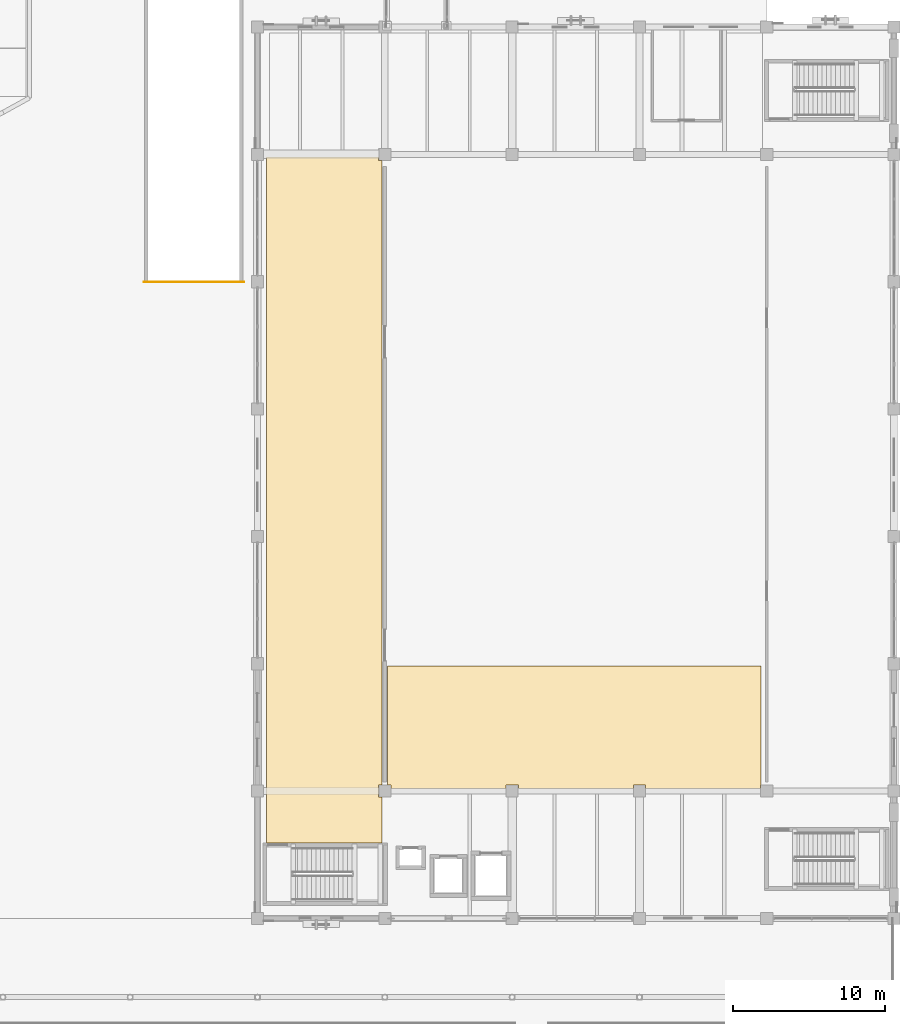
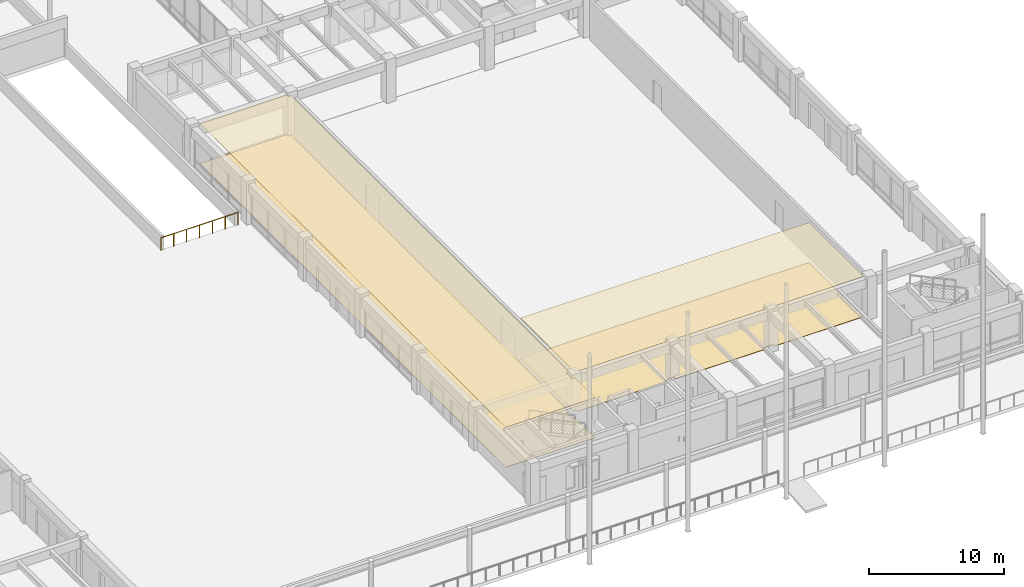
# One storey, part 129 of 135: 4 coverings, 1 railing.
"""IFC4 building model written with IfcOpenShell, lengths in metres."""

from ifc_helpers import new_model, si_unit, direction, frame, origin, origin_2d, place, context, subcontext, project, spatial, polyline, circle, outline, extrude, material, layer, layer_set, type_object, element, save


model = new_model("IFC4")

# Units and contexts
model_context = context("Model", 3, precision=1e-05, world=origin(), true_north=direction((0.0, 1.0)))
body_context = subcontext(model_context, "Body", "Model", "MODEL_VIEW")
ifc_project = project(units=[si_unit("LENGTHUNIT", "METRE"), si_unit("AREAUNIT", "SQUARE_METRE"), si_unit("VOLUMEUNIT", "CUBIC_METRE"), si_unit("PLANEANGLEUNIT", "RADIAN"), si_unit("MASSUNIT", "GRAM", prefix="KILO")], contexts=[model_context])

# Site, building, storey
site_placement = place(None, origin())
site = spatial("IfcSite", under=ifc_project, at=site_placement, CompositionType="ELEMENT")
building_placement = place(site_placement, origin())
building = spatial("IfcBuilding", under=site, at=building_placement, Name="Cumbredor Promenade Congress Hotel", CompositionType="ELEMENT")
storey_placement = place(building_placement, origin())
storey = spatial("IfcBuildingStorey", under=building, at=storey_placement, Name="L00", CompositionType="ELEMENT", Elevation=0.0)

# Coverings
ifc_material_1 = material(Name="Acoustic mineral-fiber and gypsum ceiling")
ifc_layer_1 = layer(ifc_material_1, 0.028076171875, Name="Acoustic mineral-fiber and gypsum ceiling")
ifc_layer_set_1 = layer_set([ifc_layer_1], Name="Acoustic mineral-fiber and gypsum ceiling")
covering_type_1 = type_object("IfcCoveringType", Name="Acoustic Perforated Gypsum Ceiling CLG-03 28mm", PredefinedType="CEILING", material=ifc_layer_set_1)
covering_1_placement = place(storey_placement, frame((0.0, 0.0, 3.612060546875)))
element("IfcCovering", 1, at=covering_1_placement, inside=storey, type_object=covering_type_1, Name="Sabana Grand Ballroom Acoustic Ceiling", PredefinedType="CEILING", context=body_context, shape_type="SweptSolid", body=[
    extrude(outline(polyline([(151.60498046875, 17.205078125), (151.3798828125, 17.205078125), (151.3798828125, 25.050048828125), (176.02001953125, 25.050048828125), (176.02001953125, 17.205078125), (175.9951171875, 17.205078125), (175.9951171875, 16.97998046875), (168.405029296875, 16.97998046875), (168.405029296875, 17.205078125), (167.594970703125, 17.205078125), (167.594970703125, 16.97998046875), (160.0048828125, 16.97998046875), (160.0048828125, 17.205078125), (159.195068359375, 17.205078125), (159.195068359375, 16.97998046875), (151.60498046875, 16.97998046875), (151.60498046875, 17.205078125)])), origin(), (0.0, 0.0, 1.0), 0.02783203125),
])
ifc_layer_2 = layer(ifc_material_1, 0.031982421875, Name="Acoustic mineral-fiber and gypsum ceiling")
ifc_layer_set_2 = layer_set([ifc_layer_2], Name="Acoustic mineral-fiber and gypsum ceiling")
covering_type_2 = type_object("IfcCoveringType", Name="Acoustic Perforated Gypsum Ceiling CLG-04 32mm", PredefinedType="CEILING", material=ifc_layer_set_2)
covering_2_placement = place(storey_placement, frame((0.0, 0.0, 3.60791015625)))
element("IfcCovering", 2, at=covering_2_placement, inside=storey, type_object=covering_type_2, Name="Ballroom West Pool-Court Foyer Acoustic Ceiling", PredefinedType="CEILING", context=body_context, shape_type="SweptSolid", body=[
    extrude(outline(polyline([(150.794921875, 58.6201171875), (150.794921875, 58.39501953125), (151.02001953125, 58.39501953125), (151.02001953125, 17.205078125), (150.794921875, 17.205078125), (150.794921875, 16.39501953125), (151.02001953125, 16.39501953125), (151.02001953125, 13.3798828125), (143.3798828125, 13.3798828125), (143.3798828125, 58.6201171875), (150.794921875, 58.6201171875)])), origin(), (0.0, 0.0, 1.0), 0.031982421875),
])
ifc_material_2 = material(Name="Porcelain stoneware tile", Category="masonry")
ifc_layer_3 = layer(ifc_material_2, 0.02490234375, Name="Porcelain stoneware tile", Category="masonry")
ifc_layer_set_3 = layer_set([ifc_layer_3], Name="Porcelain stoneware tile")
covering_type_3 = type_object("IfcCoveringType", Name="Porcelain Stoneware Flooring FLR-02 25mm", PredefinedType="FLOORING", material=ifc_layer_set_3)
covering_3_placement = place(storey_placement, origin())
element("IfcCovering", 3, at=covering_3_placement, inside=storey, type_object=covering_type_3, Name="Sabana Grand Ballroom Porcelain Flooring", PredefinedType="FLOORING", context=body_context, shape_type="SweptSolid", body=[
    extrude(outline(polyline([(151.60498046875, 17.205078125), (151.3798828125, 17.205078125), (151.3798828125, 25.050048828125), (176.02001953125, 25.050048828125), (176.02001953125, 17.205078125), (175.9951171875, 17.205078125), (175.9951171875, 16.97998046875), (168.405029296875, 16.97998046875), (168.405029296875, 17.205078125), (167.594970703125, 17.205078125), (167.594970703125, 16.97998046875), (160.0048828125, 16.97998046875), (160.0048828125, 17.205078125), (159.195068359375, 17.205078125), (159.195068359375, 16.97998046875), (151.60498046875, 16.97998046875), (151.60498046875, 17.205078125)])), origin(), (0.0, 0.0, 1.0), 0.02490234375),
])
ifc_layer_4 = layer(ifc_material_2, 0.030029296875, Name="Porcelain stoneware tile", Category="masonry")
ifc_layer_set_4 = layer_set([ifc_layer_4], Name="Porcelain stoneware tile")
covering_type_4 = type_object("IfcCoveringType", Name="Porcelain Stoneware Flooring FLR-03 30mm", PredefinedType="FLOORING", material=ifc_layer_set_4)
covering_4_placement = place(storey_placement, origin())
element("IfcCovering", 4, at=covering_4_placement, inside=storey, type_object=covering_type_4, Name="Ballroom West Pool-Court Foyer Porcelain Flooring", PredefinedType="FLOORING", context=body_context, shape_type="SweptSolid", body=[
    extrude(outline(polyline([(150.794921875, 58.6201171875), (150.794921875, 58.39501953125), (151.02001953125, 58.39501953125), (151.02001953125, 17.205078125), (150.794921875, 17.205078125), (150.794921875, 16.39501953125), (151.02001953125, 16.39501953125), (151.02001953125, 13.3798828125), (143.3798828125, 13.3798828125), (143.3798828125, 58.6201171875), (150.794921875, 58.6201171875)])), origin(), (0.0, 0.0, 1.0), 0.030029296875),
])

# Railing
ifc_material_3 = material(Name="Brushed stainless steel", Category="steel")
railing_type = type_object("IfcRailingType", Name="Sky Garden Glass-and-Steel Balustrade BAL-1150", PredefinedType="BALUSTRADE", material=ifc_material_3)
railing_placement = place(storey_placement, frame((135.300048828125, 50.3798828125, 0.0)))
element("IfcRailing", 5, at=railing_placement, inside=storey, type_object=railing_type, Name="L00 Vehicle Ramp Well South Guardrail", PredefinedType="BALUSTRADE", context=body_context, shape_type="SweptSolid", body=[
    extrude(circle(Radius=0.02392578125, at=origin_2d()), frame((0.0, 0.0, 1.1259765625), z_axis=(1.0, 0.0, 0.0), x_axis=(0.0, 1.0, 0.0)), (0.0, 0.0, 1.0), 6.599853515625),
    extrude(circle(Radius=0.02099609375, at=origin_2d()), origin(), (0.0, 0.0, 1.0), 1.101806640625),
    extrude(circle(Radius=0.02099609375, at=origin_2d()), frame((1.10009765625, 0.0, 0.0)), (0.0, 0.0, 1.0), 1.101806640625),
    extrude(circle(Radius=0.02099609375, at=origin_2d()), frame((2.199951171875, 0.0, 0.0)), (0.0, 0.0, 1.0), 1.101806640625),
    extrude(circle(Radius=0.02099609375, at=origin_2d()), frame((3.2998046875, 0.0, 0.0)), (0.0, 0.0, 1.0), 1.101806640625),
    extrude(circle(Radius=0.02099609375, at=origin_2d()), frame((4.39990234375, 0.0, 0.0)), (0.0, 0.0, 1.0), 1.101806640625),
    extrude(circle(Radius=0.02099609375, at=origin_2d()), frame((5.5, 0.0, 0.0)), (0.0, 0.0, 1.0), 1.101806640625),
    extrude(circle(Radius=0.02099609375, at=origin_2d()), frame((6.599853515625, 0.0, 0.0)), (0.0, 0.0, 1.0), 1.101806640625),
])

save(model, "model.ifc")
